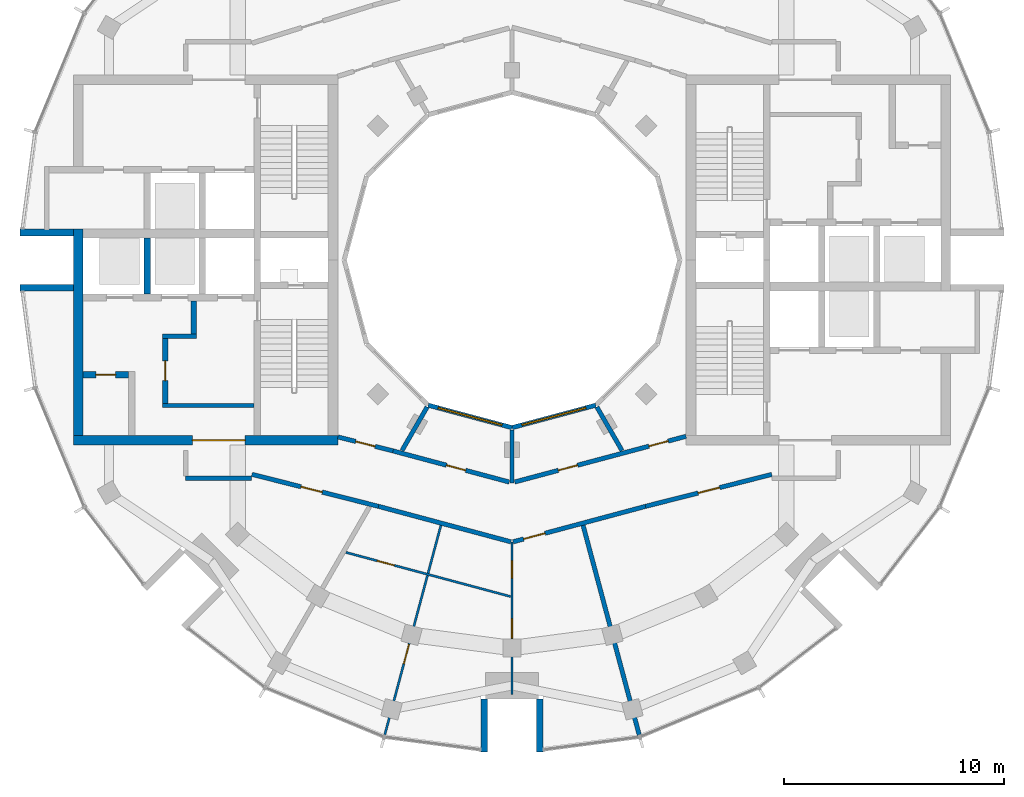
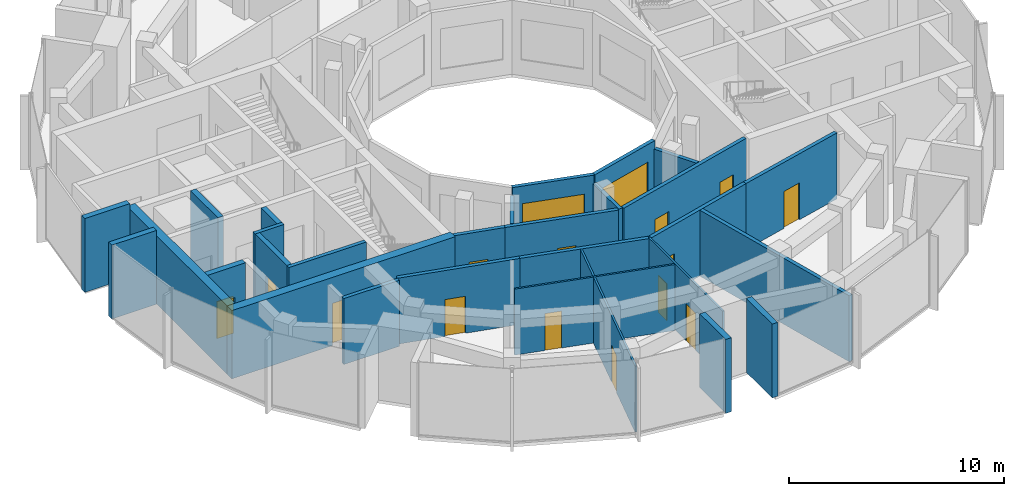
# One storey, part 8 of 13: 29 walls, 14 doors, 2 windows, 16 openings.
"""IFC4 building model written with IfcOpenShell, lengths in metres."""

from ifc_helpers import new_model, si_unit, direction, frame, frame_2d, origin, place, context, subcontext, project, spatial, rectangle, extrude, material, layer, layer_set, type_object, element, fill, save


model = new_model("IFC4")

# Units and contexts
model_context = context("Model", 3, precision=1e-05, world=origin(), true_north=direction((0.0, 1.0)))
body_context = subcontext(model_context, "Body", "Model", "MODEL_VIEW")
ifc_project = project(units=[si_unit("LENGTHUNIT", "METRE"), si_unit("AREAUNIT", "SQUARE_METRE"), si_unit("VOLUMEUNIT", "CUBIC_METRE"), si_unit("PLANEANGLEUNIT", "RADIAN"), si_unit("MASSUNIT", "GRAM", prefix="KILO")], contexts=[model_context])

# Site, building, storey
site_placement = place(None, origin())
site = spatial("IfcSite", under=ifc_project, at=site_placement, CompositionType="ELEMENT")
building_placement = place(site_placement, origin())
building = spatial("IfcBuilding", under=site, at=building_placement, Name="Torre Brocal", CompositionType="ELEMENT")
storey_placement = place(building_placement, frame((0.0, 0.0, 296.699951171875)))
storey = spatial("IfcBuildingStorey", under=building, at=storey_placement, Name="L68", CompositionType="ELEMENT", Elevation=296.699951171875)

# Walls
ifc_material_1 = material(Name="Concrete C50", Category="concrete")
ifc_layer_1 = layer(ifc_material_1, 0.199951171875)
ifc_layer_set_1 = layer_set([ifc_layer_1], Name="Concrete C50")
wall_type_1 = type_object("IfcWallType", Name="CORE WALL 200 C50", PredefinedType="SHEAR", material=ifc_layer_set_1)
wall_1_placement = place(storey_placement, frame((68.300048828125, 68.39990234375, 0.0), z_axis=(0.0, 0.0, 1.0), x_axis=(-1.0, 0.0, 0.0)))
element("IfcWall", 1, at=wall_1_placement, inside=storey, type_object=wall_type_1, Name="Wall CW200-50", PredefinedType="SHEAR", context=body_context, shape_type="SweptSolid", body=[
    extrude(rectangle(XDim=4.150146484375, YDim=0.199951171875, at=frame_2d((2.0751953125, 0.0))), origin(), (0.0, 0.0, 1.0), 3.880126953125),
])
wall_2_placement = place(storey_placement, frame((65.699951171875, 71.550048828125, 0.0), z_axis=(0.0, 0.0, 1.0), x_axis=(-1.0, 0.0, 0.0)))
element("IfcWall", 2, at=wall_2_placement, inside=storey, type_object=wall_type_1, Name="Wall CW200-50", PredefinedType="SHEAR", context=body_context, shape_type="SweptSolid", body=[
    extrude(rectangle(XDim=1.550048828125, YDim=0.199951171875, at=frame_2d((0.77490234375, 0.0))), origin(), (0.0, 0.0, 1.0), 3.880126953125),
])

# Wall, opening, door
ifc_material_2 = material(Name="Concrete C50", Category="concrete")
ifc_layer_2 = layer(ifc_material_2, 0.25)
ifc_layer_set_2 = layer_set([ifc_layer_2], Name="Concrete C50")
wall_type_2 = type_object("IfcWallType", Name="CORE WALL 250 C50", PredefinedType="SHEAR", material=ifc_layer_set_2)
wall_3_placement = place(storey_placement, frame((64.27490234375, 71.449951171875, 0.0), z_axis=(0.0, 0.0, 1.0), x_axis=(0.0, -1.0, 0.0)))
wall_3 = element("IfcWall", 3, at=wall_3_placement, inside=storey, type_object=wall_type_2, Name="Wall CW250-50", PredefinedType="SHEAR", context=body_context, shape_type="SweptSolid", body=[
    extrude(rectangle(XDim=2.949951171875, YDim=0.25, at=frame_2d((1.47509765625, 0.0))), origin(), (0.0, 0.0, 1.0), 3.880126953125),
])
opening_1_placement = place(wall_3_placement, frame((1.02490234375, 0.0, 0.0)))
opening_1 = element("IfcOpeningElement", 4, at=opening_1_placement, cuts=wall_3, Name="Opening W-D19", PredefinedType="OPENING", context=body_context, shape_type="SweptSolid", body=[
    extrude(rectangle(XDim=0.89990234375, YDim=2.10009765625, at=frame_2d((0.449951171875, 1.050048828125))), frame((0.0, 0.135009765625, 0.0), z_axis=(0.0, -1.0, 0.0), x_axis=(1.0, 0.0, 0.0)), (0.0, 0.0, 1.0), 0.27001953125),
])
ifc_material_3 = material(Name="Steel A653", Category="steel")
door_type_1 = type_object("IfcDoorType", Name="LOBBY DOOR FD120 900X2100", OperationType="SINGLE_SWING_RIGHT", PredefinedType="DOOR", material=ifc_material_3)
door_1_placement = place(opening_1_placement, origin())
door_1 = element("IfcDoor", 5, at=door_1_placement, inside=storey, type_object=door_type_1, Name="Door W-D19", OperationType="SINGLE_SWING_LEFT", OverallHeight=2.10009765625, OverallWidth=0.89990234375, PredefinedType="DOOR", context=body_context, shape_type="SweptSolid", body=[
    extrude(rectangle(XDim=0.89990234375, YDim=2.10009765625, at=frame_2d((0.449951171875, 1.050048828125))), frame((0.0, 0.02490234375, 0.0), z_axis=(0.0, -1.0, 0.0), x_axis=(1.0, 0.0, 0.0)), (0.0, 0.0, 1.0), 0.050048828125),
])
fill(opening_1, door_1)

# Walls
wall_4_placement = place(storey_placement, frame((65.574951171875, 73.14990234375, 0.0), z_axis=(0.0, 0.0, 1.0), x_axis=(0.0, -1.0, 0.0)))
element("IfcWall", 6, at=wall_4_placement, inside=storey, type_object=wall_type_2, Name="Wall CW250-50", PredefinedType="SHEAR", context=body_context, shape_type="SweptSolid", body=[
    extrude(rectangle(XDim=1.5, YDim=0.25, at=frame_2d((0.75, 0.0))), origin(), (0.0, 0.0, 1.0), 3.880126953125),
])
ifc_material_4 = material(Name="Concrete C50", Category="concrete")
ifc_layer_3 = layer(ifc_material_4, 0.300048828125)
ifc_layer_set_3 = layer_set([ifc_layer_3], Name="Concrete C50")
wall_type_3 = type_object("IfcWallType", Name="CORE WALL 300 C50", PredefinedType="SHEAR", material=ifc_layer_set_3)
wall_5_placement = place(storey_placement, frame((63.449951171875, 76.0, 0.0), z_axis=(0.0, 0.0, 1.0), x_axis=(0.0, -1.0, 0.0)))
element("IfcWall", 7, at=wall_5_placement, inside=storey, type_object=wall_type_3, Name="Wall CW300-50", PredefinedType="SHEAR", context=body_context, shape_type="SweptSolid", body=[
    extrude(rectangle(XDim=2.550048828125, YDim=0.300048828125, at=frame_2d((1.27490234375, 0.0))), origin(), (0.0, 0.0, 1.0), 3.880126953125),
])

# Wall, opening, door
wall_6_placement = place(storey_placement, frame((62.60009765625, 69.800048828125, 0.0), z_axis=(0.0, 0.0, 1.0), x_axis=(-1.0, 0.0, 0.0)))
wall_6 = element("IfcWall", 8, at=wall_6_placement, inside=storey, type_object=wall_type_3, Name="Wall CW300-50", PredefinedType="SHEAR", context=body_context, shape_type="SweptSolid", body=[
    extrude(rectangle(XDim=2.050048828125, YDim=0.300048828125, at=frame_2d((1.02490234375, 0.0))), origin(), (0.0, 0.0, 1.0), 3.880126953125),
])
opening_2_placement = place(wall_6_placement, frame((0.574951171875, 0.0, 0.0)))
opening_2 = element("IfcOpeningElement", 9, at=opening_2_placement, cuts=wall_6, Name="Opening W-D06", PredefinedType="OPENING", context=body_context, shape_type="SweptSolid", body=[
    extrude(rectangle(XDim=0.89990234375, YDim=2.10009765625, at=frame_2d((0.449951171875, 1.050048828125))), frame((0.0, 0.159912109375, 0.0), z_axis=(0.0, -1.0, 0.0), x_axis=(1.0, 0.0, 0.0)), (0.0, 0.0, 1.0), 0.320068359375),
])
ifc_material_5 = material(Name="Steel A653", Category="steel")
door_type_2 = type_object("IfcDoorType", Name="ROOM DOOR FD30S 900X2100", OperationType="SINGLE_SWING_LEFT", PredefinedType="DOOR", material=ifc_material_5)
door_2_placement = place(opening_2_placement, origin())
door_2 = element("IfcDoor", 10, at=door_2_placement, inside=storey, type_object=door_type_2, Name="Door W-D06", OperationType="SINGLE_SWING_RIGHT", OverallHeight=2.10009765625, OverallWidth=0.89990234375, PredefinedType="DOOR", context=body_context, shape_type="SweptSolid", body=[
    extrude(rectangle(XDim=0.89990234375, YDim=2.10009765625, at=frame_2d((0.449951171875, 1.050048828125))), frame((0.0, 0.02490234375, 0.0), z_axis=(0.0, -1.0, 0.0), x_axis=(1.0, 0.0, 0.0)), (0.0, 0.0, 1.0), 0.050048828125),
])
fill(opening_2, door_2)

ifc_material_6 = material(Name="Concrete C50", Category="concrete")
ifc_layer_4 = layer(ifc_material_6, 0.449951171875)
ifc_layer_set_4 = layer_set([ifc_layer_4], Name="Concrete C50")
wall_type_4 = type_object("IfcWallType", Name="CORE WALL 450 C50", PredefinedType="SHEAR", material=ifc_layer_set_4)
wall_7_placement = place(storey_placement, frame((72.10009765625, 66.824951171875, 0.0), z_axis=(0.0, 0.0, 1.0), x_axis=(-1.0, 0.0, 0.0)))
wall_7 = element("IfcWall", 11, at=wall_7_placement, inside=storey, type_object=wall_type_4, Name="Wall CW450-50", PredefinedType="SHEAR", context=body_context, shape_type="SweptSolid", body=[
    extrude(rectangle(XDim=12.0, YDim=0.449951171875, at=frame_2d((6.0, 0.0))), origin(), (0.0, 0.0, 1.0), 3.880126953125),
])
opening_3_placement = place(wall_7_placement, frame((4.199951171875, 0.0, 0.0)))
opening_3 = element("IfcOpeningElement", 12, at=opening_3_placement, cuts=wall_7, Name="Opening W-D24", PredefinedType="OPENING", context=body_context, shape_type="SweptSolid", body=[
    extrude(rectangle(XDim=2.39990234375, YDim=2.39990234375, at=frame_2d((1.199951171875, 1.199951171875))), frame((0.0, 0.23486328125, 0.0), z_axis=(0.0, -1.0, 0.0), x_axis=(1.0, 0.0, 0.0)), (0.0, 0.0, 1.0), 0.469970703125),
])
ifc_material_7 = material(Name="Steel A653", Category="steel")
door_type_3 = type_object("IfcDoorType", Name="DOUBLE FIRE DOOR FD90 2400X2400", OperationType="DOUBLE_DOOR_SINGLE_SWING", PredefinedType="DOOR", material=ifc_material_7)
door_3_placement = place(opening_3_placement, frame((2.39990234375, 0.0, 0.0), z_axis=(0.0, 0.0, 1.0), x_axis=(-1.0, 0.0, 0.0)))
door_3 = element("IfcDoor", 13, at=door_3_placement, inside=storey, type_object=door_type_3, Name="Door W-D24", OperationType="DOUBLE_DOOR_SINGLE_SWING", OverallHeight=2.39990234375, OverallWidth=2.39990234375, PredefinedType="DOOR", context=body_context, shape_type="SweptSolid", body=[
    extrude(rectangle(XDim=2.39990234375, YDim=2.39990234375, at=frame_2d((1.199951171875, 1.199951171875))), frame((0.0, 0.02490234375, 0.0), z_axis=(0.0, -1.0, 0.0), x_axis=(1.0, 0.0, 0.0)), (0.0, 0.0, 1.0), 0.050048828125),
])
fill(opening_3, door_3)

# Walls
wall_8_placement = place(storey_placement, frame((60.324951171875, 76.39990234375, 0.0), z_axis=(0.0, 0.0, 1.0), x_axis=(0.0, -1.0, 0.0)))
element("IfcWall", 14, at=wall_8_placement, inside=storey, type_object=wall_type_4, Name="Wall CW450-50", PredefinedType="SHEAR", context=body_context, shape_type="SweptSolid", body=[
    extrude(rectangle(XDim=9.349853515625, YDim=0.449951171875, at=frame_2d((4.6748046875, 0.0))), origin(), (0.0, 0.0, 1.0), 3.880126953125),
])
ifc_material_8 = material(Name="Concrete C50", Category="concrete")
ifc_layer_5 = layer(ifc_material_8, 0.300048828125)
ifc_layer_set_5 = layer_set([ifc_layer_5], Name="Concrete C50")
wall_type_5 = type_object("IfcWallType", Name="NOTCH RETURN WALL 300 C50", PredefinedType="NOTDEFINED", material=ifc_layer_set_5)
for number, where, z_axis, x_axis, name in (
    (15, (60.10009765625, 76.25, 0.0), (0.0, 0.0, 1.0), (-1.0, 0.0, 0.0), "NOTCH RETURN WALL"),
    (16, (60.10009765625, 73.75, 0.0), (0.0, 0.0, 1.0), (-1.0, 0.0, 0.0), "NOTCH RETURN WALL"),
    (17, (78.75, 55.10009765625, 0.0), (0.0, 0.0, 1.0), (0.0, -1.0, 0.0), "NOTCH RETURN WALL"),
    (18, (81.25, 55.10009765625, 0.0), (0.0, 0.0, 1.0), (0.0, -1.0, 0.0), "NOTCH RETURN WALL"),
):
    element("IfcWall", number, at=place(storey_placement, frame(where, z_axis=z_axis, x_axis=x_axis)), inside=storey, type_object=wall_type_5, Name=name, PredefinedType="NOTDEFINED", context=body_context, shape_type="SweptSolid", body=[
        extrude(rectangle(XDim=2.415771484375, YDim=0.300048828125, at=frame_2d((1.2080078125, 0.0))), origin(), (0.0, 0.0, 1.0), 4.199951171875),
    ])

# Wall, opening, door
ifc_material_9 = material(Name="Gypsum board", Category="Gypsum")
ifc_layer_6 = layer(ifc_material_9, 0.10009765625)
ifc_layer_set_6 = layer_set([ifc_layer_6], Name="Gypsum board")
wall_type_6 = type_object("IfcWallType", Name="PARTITION 100", PredefinedType="PARTITIONING", material=ifc_layer_set_6)
wall_9_placement = place(storey_placement, frame((72.46533203125, 61.738525390625, 0.0), z_axis=(0.0, 0.0, 1.0), x_axis=(0.965899611634, -0.258916859715, 0.0)))
wall_9 = element("IfcWall", 19, at=wall_9_placement, inside=storey, type_object=wall_type_6, Name="BATHROOM WALL", PredefinedType="PARTITIONING", context=body_context, shape_type="SweptSolid", body=[
    extrude(rectangle(XDim=7.740478515625, YDim=0.10009765625, at=frame_2d((3.8701171875, 0.0))), origin(), (0.0, 0.0, 1.0), 3.75),
])
opening_4_placement = place(wall_9_placement, frame((1.4677734375, 0.0, 0.0)))
opening_4 = element("IfcOpeningElement", 20, at=opening_4_placement, cuts=wall_9, Name="Opening N03-D13", PredefinedType="OPENING", context=body_context, shape_type="SweptSolid", body=[
    extrude(rectangle(XDim=0.800048828125, YDim=2.10009765625, at=frame_2d((0.39990234375, 1.050048828125))), frame((0.0, 0.06005859375, 0.0), z_axis=(0.0, -1.0, 0.0), x_axis=(1.0, 0.0, 0.0)), (0.0, 0.0, 1.0), 0.1201171875),
])
ifc_material_10 = material(Name="Timber", Category="wood")
door_type_4 = type_object("IfcDoorType", Name="BATHROOM DOOR 800X2100", OperationType="SINGLE_SWING_LEFT", PredefinedType="DOOR", material=ifc_material_10)
door_4_placement = place(opening_4_placement, origin())
door_4 = element("IfcDoor", 21, at=door_4_placement, inside=storey, type_object=door_type_4, Name="N03-D13", OperationType="SINGLE_SWING_LEFT", OverallHeight=2.10009765625, OverallWidth=0.800048828125, PredefinedType="DOOR", context=body_context, shape_type="SweptSolid", body=[
    extrude(rectangle(XDim=0.800048828125, YDim=2.10009765625, at=frame_2d((0.39990234375, 1.050048828125))), frame((0.0, 0.02490234375, 0.0), z_axis=(0.0, -1.0, 0.0), x_axis=(1.0, 0.0, 0.0)), (0.0, 0.0, 1.0), 0.050048828125),
])
fill(opening_4, door_4)

wall_10_placement = place(storey_placement, frame((74.22900390625, 53.461669921875, 0.0), z_axis=(0.0, 0.0, 1.0), x_axis=(0.258810097991, 0.965928223616, 0.0)))
wall_10 = element("IfcWall", 22, at=wall_10_placement, inside=storey, type_object=wall_type_6, Name="BATHROOM WALL", PredefinedType="PARTITIONING", context=body_context, shape_type="SweptSolid", body=[
    extrude(rectangle(XDim=9.837890625, YDim=0.10009765625, at=frame_2d((4.9189453125, 0.0))), origin(), (0.0, 0.0, 1.0), 3.75),
])
opening_5_placement = place(wall_10_placement, frame((3.343994140625, 0.0, 0.0)))
opening_5 = element("IfcOpeningElement", 23, at=opening_5_placement, cuts=wall_10, Name="Opening N03-D12", PredefinedType="OPENING", context=body_context, shape_type="SweptSolid", body=[
    extrude(rectangle(XDim=0.89990234375, YDim=2.10009765625, at=frame_2d((0.449951171875, 1.050048828125))), frame((0.0, 0.06005859375, 0.0), z_axis=(0.0, -1.0, 0.0), x_axis=(1.0, 0.0, 0.0)), (0.0, 0.0, 1.0), 0.1201171875),
])
ifc_material_11 = material(Name="Timber", Category="wood")
door_type_5 = type_object("IfcDoorType", Name="ROOM DOOR 900X2100", OperationType="SINGLE_SWING_LEFT", PredefinedType="DOOR", material=ifc_material_11)
door_5_placement = place(opening_5_placement, frame((0.89990234375, 0.0, 0.0), z_axis=(0.0, 0.0, 1.0), x_axis=(-1.0, 0.0, 0.0)))
door_5 = element("IfcDoor", 24, at=door_5_placement, inside=storey, type_object=door_type_5, Name="N03-D12", OperationType="SINGLE_SWING_RIGHT", OverallHeight=2.10009765625, OverallWidth=0.89990234375, PredefinedType="DOOR", context=body_context, shape_type="SweptSolid", body=[
    extrude(rectangle(XDim=0.89990234375, YDim=2.10009765625, at=frame_2d((0.449951171875, 1.050048828125))), frame((0.0, 0.02490234375, 0.0), z_axis=(0.0, -1.0, 0.0), x_axis=(1.0, 0.0, 0.0)), (0.0, 0.0, 1.0), 0.050048828125),
])
fill(opening_5, door_5)

# Wall, openings, doors
wall_11_placement = place(storey_placement, frame((80.0, 55.300048828125, 0.0), z_axis=(0.0, 0.0, 1.0), x_axis=(0.0, 1.0, 0.0)))
wall_11 = element("IfcWall", 25, at=wall_11_placement, inside=storey, type_object=wall_type_6, Name="BATHROOM WALL", PredefinedType="PARTITIONING", context=body_context, shape_type="SweptSolid", body=[
    extrude(rectangle(XDim=6.904052734375, YDim=0.10009765625, at=frame_2d((3.4521484375, 0.0))), origin(), (0.0, 0.0, 1.0), 3.75),
])
opening_6_placement = place(wall_11_placement, frame((2.534423828125, 0.0, 0.0)))
opening_6 = element("IfcOpeningElement", 26, at=opening_6_placement, cuts=wall_11, Name="Opening N03-D10", PredefinedType="OPENING", context=body_context, shape_type="SweptSolid", body=[
    extrude(rectangle(XDim=0.89990234375, YDim=2.10009765625, at=frame_2d((0.449951171875, 1.050048828125))), frame((0.0, 0.06005859375, 0.0), z_axis=(0.0, -1.0, 0.0), x_axis=(1.0, 0.0, 0.0)), (0.0, 0.0, 1.0), 0.1201171875),
])
opening_7_placement = place(wall_11_placement, frame((5.261474609375, 0.0, 0.0)))
opening_7 = element("IfcOpeningElement", 27, at=opening_7_placement, cuts=wall_11, Name="Opening N03-D11", PredefinedType="OPENING", context=body_context, shape_type="SweptSolid", body=[
    extrude(rectangle(XDim=0.800048828125, YDim=2.10009765625, at=frame_2d((0.39990234375, 1.050048828125))), frame((0.0, 0.06005859375, 0.0), z_axis=(0.0, -1.0, 0.0), x_axis=(1.0, 0.0, 0.0)), (0.0, 0.0, 1.0), 0.1201171875),
])
door_6_placement = place(opening_7_placement, origin())
door_6 = element("IfcDoor", 28, at=door_6_placement, inside=storey, type_object=door_type_4, Name="N03-D11", OperationType="SINGLE_SWING_LEFT", OverallHeight=2.10009765625, OverallWidth=0.800048828125, PredefinedType="DOOR", context=body_context, shape_type="SweptSolid", body=[
    extrude(rectangle(XDim=0.800048828125, YDim=2.10009765625, at=frame_2d((0.39990234375, 1.050048828125))), frame((0.0, 0.02490234375, 0.0), z_axis=(0.0, -1.0, 0.0), x_axis=(1.0, 0.0, 0.0)), (0.0, 0.0, 1.0), 0.050048828125),
])
fill(opening_7, door_6)
door_7_placement = place(opening_6_placement, origin())
door_7 = element("IfcDoor", 29, at=door_7_placement, inside=storey, type_object=door_type_5, Name="N03-D10", OperationType="SINGLE_SWING_RIGHT", OverallHeight=2.10009765625, OverallWidth=0.89990234375, PredefinedType="DOOR", context=body_context, shape_type="SweptSolid", body=[
    extrude(rectangle(XDim=0.89990234375, YDim=2.10009765625, at=frame_2d((0.449951171875, 1.050048828125))), frame((0.0, 0.02490234375, 0.0), z_axis=(0.0, -1.0, 0.0), x_axis=(1.0, 0.0, 0.0)), (0.0, 0.0, 1.0), 0.050048828125),
])
fill(opening_6, door_7)

# Wall
ifc_material_12 = material(Name="Gypsum board", Category="Gypsum")
ifc_layer_7 = layer(ifc_material_12, 0.199951171875)
ifc_layer_set_7 = layer_set([ifc_layer_7], Name="Gypsum board")
wall_type_7 = type_object("IfcWallType", Name="PARTITION 200 EI60", PredefinedType="PARTITIONING", material=ifc_layer_set_7)
wall_12_placement = place(storey_placement, frame((65.199951171875, 65.10009765625, 0.0), z_axis=(0.0, 0.0, 1.0), x_axis=(1.0, 0.0, 0.0)))
element("IfcWall", 30, at=wall_12_placement, inside=storey, type_object=wall_type_7, Name="FLAT ENTRANCE WALL", PredefinedType="PARTITIONING", context=body_context, shape_type="SweptSolid", body=[
    extrude(rectangle(XDim=2.97998046875, YDim=0.199951171875, at=frame_2d((1.489990234375, 0.0))), origin(), (0.0, 0.0, 1.0), 3.75),
])

# Wall, opening, door
wall_13_placement = place(storey_placement, frame((68.200927734375, 65.280029296875, 0.0), z_axis=(0.0, 0.0, 1.0), x_axis=(0.969421088032, -0.245403247897, 0.0)))
wall_13 = element("IfcWall", 31, at=wall_13_placement, inside=storey, type_object=wall_type_7, Name="FLAT ENTRANCE WALL", PredefinedType="PARTITIONING", context=body_context, shape_type="SweptSolid", body=[
    extrude(rectangle(XDim=5.92724609375, YDim=0.199951171875, at=frame_2d((2.963623046875, 0.0))), origin(), (0.0, 0.0, 1.0), 3.75),
])
opening_8_placement = place(wall_13_placement, frame((2.29345703125, 0.0, 0.0)))
opening_8 = element("IfcOpeningElement", 32, at=opening_8_placement, cuts=wall_13, Name="Opening N03-D14", PredefinedType="OPENING", context=body_context, shape_type="SweptSolid", body=[
    extrude(rectangle(XDim=1.0, YDim=2.10009765625, at=frame_2d((0.5, 1.050048828125))), frame((0.0, 0.10986328125, 0.0), z_axis=(0.0, -1.0, 0.0), x_axis=(1.0, 0.0, 0.0)), (0.0, 0.0, 1.0), 0.219970703125),
])
ifc_material_13 = material(Name="Timber", Category="wood")
door_type_6 = type_object("IfcDoorType", Name="FLAT ENTRY DOOR FD30S 1000X2100", OperationType="SINGLE_SWING_RIGHT", PredefinedType="DOOR", material=ifc_material_13)
door_8_placement = place(opening_8_placement, frame((1.0, 0.0, 0.0), z_axis=(0.0, 0.0, 1.0), x_axis=(-1.0, 0.0, 0.0)))
door_8 = element("IfcDoor", 33, at=door_8_placement, inside=storey, type_object=door_type_6, Name="N03-D14", OperationType="SINGLE_SWING_LEFT", OverallHeight=2.10009765625, OverallWidth=1.0, PredefinedType="DOOR", context=body_context, shape_type="SweptSolid", body=[
    extrude(rectangle(XDim=1.0, YDim=2.10009765625, at=frame_2d((0.5, 1.050048828125))), frame((0.0, 0.02490234375, 0.0), z_axis=(0.0, -1.0, 0.0), x_axis=(1.0, 0.0, 0.0)), (0.0, 0.0, 1.0), 0.050048828125),
])
fill(opening_8, door_8)

wall_14_placement = place(storey_placement, frame((72.10009765625, 66.97509765625, 0.0), z_axis=(0.0, 0.0, 1.0), x_axis=(0.969471314457, -0.245204752086, 0.0)))
wall_14 = element("IfcWall", 34, at=wall_14_placement, inside=storey, type_object=wall_type_7, Name="CORRIDOR WALL", PredefinedType="PARTITIONING", context=body_context, shape_type="SweptSolid", body=[
    extrude(rectangle(XDim=2.581787109375, YDim=0.199951171875, at=frame_2d((1.291015625, 0.0))), origin(), (0.0, 0.0, 1.0), 3.75),
])
opening_9_placement = place(wall_14_placement, frame((0.8408203125, 0.0, 0.0)))
opening_9 = element("IfcOpeningElement", 35, at=opening_9_placement, cuts=wall_14, Name="Opening N03-D18", PredefinedType="OPENING", context=body_context, shape_type="SweptSolid", body=[
    extrude(rectangle(XDim=0.89990234375, YDim=2.10009765625, at=frame_2d((0.449951171875, 1.050048828125))), frame((0.0, 0.10986328125, 0.0), z_axis=(0.0, -1.0, 0.0), x_axis=(1.0, 0.0, 0.0)), (0.0, 0.0, 1.0), 0.219970703125),
])
door_9_placement = place(opening_9_placement, origin())
door_9 = element("IfcDoor", 36, at=door_9_placement, inside=storey, type_object=door_type_5, Name="N03-D18", OperationType="SINGLE_SWING_LEFT", OverallHeight=2.10009765625, OverallWidth=0.89990234375, PredefinedType="DOOR", context=body_context, shape_type="SweptSolid", body=[
    extrude(rectangle(XDim=0.89990234375, YDim=2.10009765625, at=frame_2d((0.449951171875, 1.050048828125))), frame((0.0, 0.02490234375, 0.0), z_axis=(0.0, -1.0, 0.0), x_axis=(1.0, 0.0, 0.0)), (0.0, 0.0, 1.0), 0.050048828125),
])
fill(opening_9, door_9)

# Wall
wall_15_placement = place(storey_placement, frame((73.947021484375, 63.825927734375, 0.0), z_axis=(0.0, 0.0, 1.0), x_axis=(0.965908253407, -0.258884619088, 0.0)))
element("IfcWall", 37, at=wall_15_placement, inside=storey, type_object=wall_type_7, Name="GUESTROOM CORRIDOR WALL", PredefinedType="PARTITIONING", context=body_context, shape_type="SweptSolid", body=[
    extrude(rectangle(XDim=6.216552734375, YDim=0.199951171875, at=frame_2d((3.1083984375, 0.0))), origin(), (0.0, 0.0, 1.0), 3.75),
])

# Wall, opening, door
wall_16_placement = place(storey_placement, frame((74.60302734375, 66.342041015625, 0.0), z_axis=(0.0, 0.0, 1.0), x_axis=(0.965920893652, -0.258837453254, 0.0)))
wall_16 = element("IfcWall", 38, at=wall_16_placement, inside=storey, type_object=wall_type_7, Name="CORRIDOR WALL", PredefinedType="PARTITIONING", context=body_context, shape_type="SweptSolid", body=[
    extrude(rectangle(XDim=5.45751953125, YDim=0.199951171875, at=frame_2d((2.728759765625, 0.0))), origin(), (0.0, 0.0, 1.0), 3.75),
])
opening_10_placement = place(wall_16_placement, frame((2.512451171875, 0.0, 0.0)))
opening_10 = element("IfcOpeningElement", 39, at=opening_10_placement, cuts=wall_16, Name="Opening N03-D17", PredefinedType="OPENING", context=body_context, shape_type="SweptSolid", body=[
    extrude(rectangle(XDim=0.89990234375, YDim=2.10009765625, at=frame_2d((0.449951171875, 1.050048828125))), frame((0.0, 0.10986328125, 0.0), z_axis=(0.0, -1.0, 0.0), x_axis=(1.0, 0.0, 0.0)), (0.0, 0.0, 1.0), 0.219970703125),
])
door_10_placement = place(opening_10_placement, origin())
door_10 = element("IfcDoor", 40, at=door_10_placement, inside=storey, type_object=door_type_5, Name="N03-D17", OperationType="SINGLE_SWING_LEFT", OverallHeight=2.10009765625, OverallWidth=0.89990234375, PredefinedType="DOOR", context=body_context, shape_type="SweptSolid", body=[
    extrude(rectangle(XDim=0.89990234375, YDim=2.10009765625, at=frame_2d((0.449951171875, 1.050048828125))), frame((0.0, 0.02490234375, 0.0), z_axis=(0.0, -1.0, 0.0), x_axis=(1.0, 0.0, 0.0)), (0.0, 0.0, 1.0), 0.050048828125),
])
fill(opening_10, door_10)

# Wall
wall_17_placement = place(storey_placement, frame((75.012451171875, 66.36279296875, 0.0), z_axis=(0.0, 0.0, 1.0), x_axis=(0.500097042406, 0.865969369075, 0.0)))
element("IfcWall", 41, at=wall_17_placement, inside=storey, type_object=wall_type_7, Name="PARTY PARTITION", PredefinedType="PARTITIONING", context=body_context, shape_type="SweptSolid", body=[
    extrude(rectangle(XDim=2.275390625, YDim=0.199951171875, at=frame_2d((1.1376953125, 0.0))), origin(), (0.0, 0.0, 1.0), 3.75),
])

# Wall, openings, doors
wall_18_placement = place(storey_placement, frame((80.125, 64.931640625, 0.0), z_axis=(0.0, 0.0, 1.0), x_axis=(0.966236955806, 0.257655089674, 0.0)))
wall_18 = element("IfcWall", 42, at=wall_18_placement, inside=storey, type_object=wall_type_7, Name="CORRIDOR WALL", PredefinedType="PARTITIONING", context=body_context, shape_type="SweptSolid", body=[
    extrude(rectangle(XDim=8.0390625, YDim=0.199951171875, at=frame_2d((4.01953125, 0.0))), origin(), (0.0, 0.0, 1.0), 3.75),
])
opening_11_placement = place(wall_18_placement, frame((6.298095703125, 0.0, 0.0)))
opening_11 = element("IfcOpeningElement", 43, at=opening_11_placement, cuts=wall_18, Name="Opening N03-D15", PredefinedType="OPENING", context=body_context, shape_type="SweptSolid", body=[
    extrude(rectangle(XDim=0.89990234375, YDim=2.10009765625, at=frame_2d((0.449951171875, 1.050048828125))), frame((0.0, 0.10986328125, 0.0), z_axis=(0.0, -1.0, 0.0), x_axis=(1.0, 0.0, 0.0)), (0.0, 0.0, 1.0), 0.219970703125),
])
opening_12_placement = place(wall_18_placement, frame((2.044921875, 0.0, 0.0)))
opening_12 = element("IfcOpeningElement", 44, at=opening_12_placement, cuts=wall_18, Name="Opening N03-D16", PredefinedType="OPENING", context=body_context, shape_type="SweptSolid", body=[
    extrude(rectangle(XDim=0.89990234375, YDim=2.10009765625, at=frame_2d((0.449951171875, 1.050048828125))), frame((0.0, 0.10986328125, 0.0), z_axis=(0.0, -1.0, 0.0), x_axis=(1.0, 0.0, 0.0)), (0.0, 0.0, 1.0), 0.219970703125),
])
door_11_placement = place(opening_11_placement, origin())
door_11 = element("IfcDoor", 45, at=door_11_placement, inside=storey, type_object=door_type_5, Name="N03-D15", OperationType="SINGLE_SWING_RIGHT", OverallHeight=2.10009765625, OverallWidth=0.89990234375, PredefinedType="DOOR", context=body_context, shape_type="SweptSolid", body=[
    extrude(rectangle(XDim=0.89990234375, YDim=2.10009765625, at=frame_2d((0.449951171875, 1.050048828125))), frame((0.0, 0.02490234375, 0.0), z_axis=(0.0, -1.0, 0.0), x_axis=(1.0, 0.0, 0.0)), (0.0, 0.0, 1.0), 0.050048828125),
])
fill(opening_11, door_11)
door_12_placement = place(opening_12_placement, origin())
door_12 = element("IfcDoor", 46, at=door_12_placement, inside=storey, type_object=door_type_5, Name="N03-D16", OperationType="SINGLE_SWING_RIGHT", OverallHeight=2.10009765625, OverallWidth=0.89990234375, PredefinedType="DOOR", context=body_context, shape_type="SweptSolid", body=[
    extrude(rectangle(XDim=0.89990234375, YDim=2.10009765625, at=frame_2d((0.449951171875, 1.050048828125))), frame((0.0, 0.02490234375, 0.0), z_axis=(0.0, -1.0, 0.0), x_axis=(1.0, 0.0, 0.0)), (0.0, 0.0, 1.0), 0.050048828125),
])
fill(opening_12, door_12)

# Wall, opening, door
wall_19_placement = place(storey_placement, frame((80.04833984375, 62.217041015625, 0.0), z_axis=(0.0, 0.0, 1.0), x_axis=(0.965937709386, 0.258774692708, 0.0)))
wall_19 = element("IfcWall", 47, at=wall_19_placement, inside=storey, type_object=wall_type_7, Name="FLAT ENTRANCE WALL", PredefinedType="PARTITIONING", context=body_context, shape_type="SweptSolid", body=[
    extrude(rectangle(XDim=6.21630859375, YDim=0.199951171875, at=frame_2d((3.108154296875, 0.0))), origin(), (0.0, 0.0, 1.0), 3.75),
])
opening_13_placement = place(wall_19_placement, frame((0.5, 0.0, 0.0)))
opening_13 = element("IfcOpeningElement", 48, at=opening_13_placement, cuts=wall_19, Name="Opening N03-D09", PredefinedType="OPENING", context=body_context, shape_type="SweptSolid", body=[
    extrude(rectangle(XDim=1.0, YDim=2.10009765625, at=frame_2d((0.5, 1.050048828125))), frame((0.0, 0.10986328125, 0.0), z_axis=(0.0, -1.0, 0.0), x_axis=(1.0, 0.0, 0.0)), (0.0, 0.0, 1.0), 0.219970703125),
])
door_13_placement = place(opening_13_placement, frame((1.0, 0.0, 0.0), z_axis=(0.0, 0.0, 1.0), x_axis=(-1.0, 0.0, 0.0)))
door_13 = element("IfcDoor", 49, at=door_13_placement, inside=storey, type_object=door_type_6, Name="N03-D09", OperationType="SINGLE_SWING_RIGHT", OverallHeight=2.10009765625, OverallWidth=1.0, PredefinedType="DOOR", context=body_context, shape_type="SweptSolid", body=[
    extrude(rectangle(XDim=1.0, YDim=2.10009765625, at=frame_2d((0.5, 1.050048828125))), frame((0.0, 0.02490234375, 0.0), z_axis=(0.0, -1.0, 0.0), x_axis=(1.0, 0.0, 0.0)), (0.0, 0.0, 1.0), 0.050048828125),
])
fill(opening_13, door_13)

# Walls
wall_20_placement = place(storey_placement, frame((80.0, 64.89599609375, 0.0), z_axis=(0.0, 0.0, 1.0), x_axis=(0.0, 1.0, 0.0)))
element("IfcWall", 50, at=wall_20_placement, inside=storey, type_object=wall_type_7, Name="SERVICE ROOM WALL", PredefinedType="PARTITIONING", context=body_context, shape_type="SweptSolid", body=[
    extrude(rectangle(XDim=2.405029296875, YDim=0.199951171875, at=frame_2d((1.20263671875, 0.0))), origin(), (0.0, 0.0, 1.0), 3.75),
])
wall_21_placement = place(storey_placement, frame((83.224609375, 62.96337890625, 0.0), z_axis=(0.0, 0.0, 1.0), x_axis=(0.258782398991, -0.96593564484, 0.0)))
element("IfcWall", 51, at=wall_21_placement, inside=storey, type_object=wall_type_7, Name="PARTY PARTITION", PredefinedType="PARTITIONING", context=body_context, shape_type="SweptSolid", body=[
    extrude(rectangle(XDim=9.837158203125, YDim=0.199951171875, at=frame_2d((4.91845703125, 0.0))), origin(), (0.0, 0.0, 1.0), 3.75),
])
wall_22_placement = place(storey_placement, frame((83.849609375, 68.333251953125, 0.0), z_axis=(0.0, 0.0, 1.0), x_axis=(0.500080019051, -0.865979199835, 0.0)))
element("IfcWall", 52, at=wall_22_placement, inside=storey, type_object=wall_type_7, Name="SERVICE ROOM WALL", PredefinedType="PARTITIONING", context=body_context, shape_type="SweptSolid", body=[
    extrude(rectangle(XDim=2.285400390625, YDim=0.199951171875, at=frame_2d((1.142578125, 0.0))), origin(), (0.0, 0.0, 1.0), 3.75),
])

# Wall, opening, door
wall_23_placement = place(storey_placement, frame((86.052978515625, 63.826171875, 0.0), z_axis=(0.0, 0.0, 1.0), x_axis=(0.969480070232, 0.245170131586, 0.0)))
wall_23 = element("IfcWall", 53, at=wall_23_placement, inside=storey, type_object=wall_type_7, Name="FLAT ENTRANCE WALL", PredefinedType="PARTITIONING", context=body_context, shape_type="SweptSolid", body=[
    extrude(rectangle(XDim=5.906982421875, YDim=0.199951171875, at=frame_2d((2.95361328125, 0.0))), origin(), (0.0, 0.0, 1.0), 3.75),
])
opening_14_placement = place(wall_23_placement, frame((2.464111328125, 0.0, 0.0)))
opening_14 = element("IfcOpeningElement", 54, at=opening_14_placement, cuts=wall_23, Name="Opening N03-D08", PredefinedType="OPENING", context=body_context, shape_type="SweptSolid", body=[
    extrude(rectangle(XDim=1.0, YDim=2.10009765625, at=frame_2d((0.5, 1.050048828125))), frame((0.0, 0.10986328125, 0.0), z_axis=(0.0, -1.0, 0.0), x_axis=(1.0, 0.0, 0.0)), (0.0, 0.0, 1.0), 0.219970703125),
])
door_14_placement = place(opening_14_placement, frame((1.0, 0.0, 0.0), z_axis=(0.0, 0.0, 1.0), x_axis=(-1.0, 0.0, 0.0)))
door_14 = element("IfcDoor", 55, at=door_14_placement, inside=storey, type_object=door_type_6, Name="N03-D08", OperationType="SINGLE_SWING_LEFT", OverallHeight=2.10009765625, OverallWidth=1.0, PredefinedType="DOOR", context=body_context, shape_type="SweptSolid", body=[
    extrude(rectangle(XDim=1.0, YDim=2.10009765625, at=frame_2d((0.5, 1.050048828125))), frame((0.0, 0.02490234375, 0.0), z_axis=(0.0, -1.0, 0.0), x_axis=(1.0, 0.0, 0.0)), (0.0, 0.0, 1.0), 0.050048828125),
])
fill(opening_14, door_14)

# Wall, opening, window
ifc_material_14 = material(Name="Concrete C40", Category="concrete")
ifc_layer_8 = layer(ifc_material_14, 0.199951171875)
ifc_layer_set_8 = layer_set([ifc_layer_8], Name="Concrete C40")
wall_type_8 = type_object("IfcWallType", Name="WELL FACADE WALL 200", PredefinedType="NOTDEFINED", material=ifc_layer_set_8)
wall_24_placement = place(storey_placement, frame((76.1982421875, 68.4150390625, 0.0), z_axis=(0.0, 0.0, 1.0), x_axis=(0.965933654434, -0.258789828301, 0.0)))
wall_24 = element("IfcWall", 56, at=wall_24_placement, inside=storey, type_object=wall_type_8, Name="WELL FACADE WALL", PredefinedType="NOTDEFINED", context=body_context, shape_type="SweptSolid", body=[
    extrude(rectangle(XDim=3.935791015625, YDim=0.199951171875, at=frame_2d((1.9677734375, 0.0))), origin(), (0.0, 0.0, 1.0), 4.199951171875),
])
opening_15_placement = place(wall_24_placement, frame((0.468017578125, 0.0, 0.89990234375)))
opening_15 = element("IfcOpeningElement", 57, at=opening_15_placement, cuts=wall_24, Name="Opening W1", PredefinedType="OPENING", context=body_context, shape_type="SweptSolid", body=[
    extrude(rectangle(XDim=3.0, YDim=2.300048828125, at=frame_2d((1.5, 1.14990234375))), frame((0.0, 0.10986328125, 0.0), z_axis=(0.0, -1.0, 0.0), x_axis=(1.0, 0.0, 0.0)), (0.0, 0.0, 1.0), 0.219970703125),
])
ifc_material_15 = material(Name="Aluminium and glass", Category="aluminium")
window_type = type_object("IfcWindowType", Name="WELL WINDOW 3000X2300", PartitioningType="SINGLE_PANEL", PredefinedType="WINDOW", material=ifc_material_15)
window_1_placement = place(opening_15_placement, origin())
window_1 = element("IfcWindow", 58, at=window_1_placement, inside=storey, type_object=window_type, Name="WELL WINDOW 3000X2300", OverallHeight=2.300048828125, OverallWidth=3.0, PartitioningType="SINGLE_PANEL", PredefinedType="WINDOW", context=body_context, shape_type="SweptSolid", body=[
    extrude(rectangle(XDim=3.0, YDim=2.300048828125, at=frame_2d((1.5, 1.14990234375))), frame((0.0, 0.030029296875, 0.0), z_axis=(0.0, -1.0, 0.0), x_axis=(1.0, 0.0, 0.0)), (0.0, 0.0, 1.0), 0.06005859375),
])
fill(opening_15, window_1)

wall_25_placement = place(storey_placement, frame((80.0, 67.396484375, 0.0), z_axis=(0.0, 0.0, 1.0), x_axis=(0.965933654434, 0.258789828301, 0.0)))
wall_25 = element("IfcWall", 59, at=wall_25_placement, inside=storey, type_object=wall_type_8, Name="WELL FACADE WALL", PredefinedType="NOTDEFINED", context=body_context, shape_type="SweptSolid", body=[
    extrude(rectangle(XDim=3.935791015625, YDim=0.199951171875, at=frame_2d((1.9677734375, 0.0))), origin(), (0.0, 0.0, 1.0), 4.199951171875),
])
opening_16_placement = place(wall_25_placement, frame((0.468017578125, 0.0, 0.89990234375)))
opening_16 = element("IfcOpeningElement", 60, at=opening_16_placement, cuts=wall_25, Name="Opening W1", PredefinedType="OPENING", context=body_context, shape_type="SweptSolid", body=[
    extrude(rectangle(XDim=3.0, YDim=2.300048828125, at=frame_2d((1.5, 1.14990234375))), frame((0.0, 0.10986328125, 0.0), z_axis=(0.0, -1.0, 0.0), x_axis=(1.0, 0.0, 0.0)), (0.0, 0.0, 1.0), 0.219970703125),
])
window_2_placement = place(opening_16_placement, origin())
window_2 = element("IfcWindow", 61, at=window_2_placement, inside=storey, type_object=window_type, Name="WELL WINDOW 3000X2300", OverallHeight=2.300048828125, OverallWidth=3.0, PartitioningType="SINGLE_PANEL", PredefinedType="WINDOW", context=body_context, shape_type="SweptSolid", body=[
    extrude(rectangle(XDim=3.0, YDim=2.300048828125, at=frame_2d((1.5, 1.14990234375))), frame((0.0, 0.030029296875, 0.0), z_axis=(0.0, -1.0, 0.0), x_axis=(1.0, 0.0, 0.0)), (0.0, 0.0, 1.0), 0.06005859375),
])
fill(opening_16, window_2)

save(model, "model.ifc")
